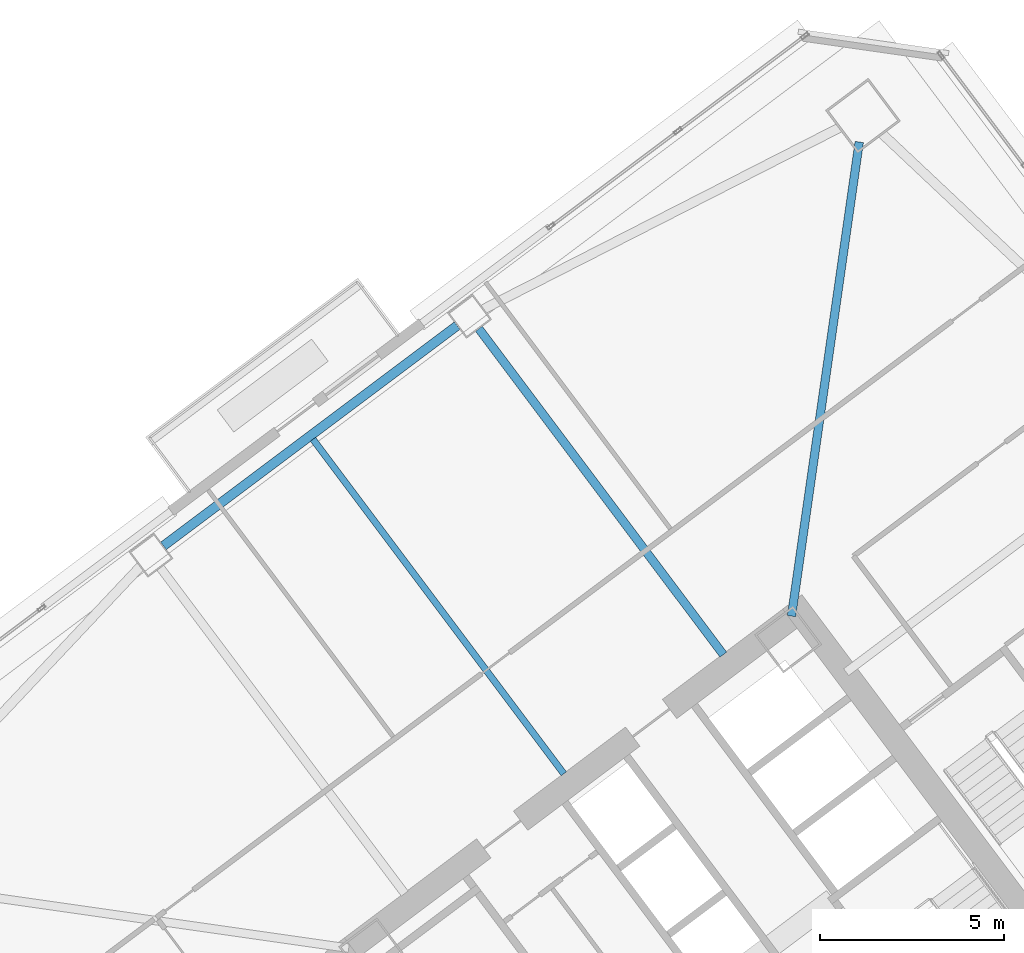
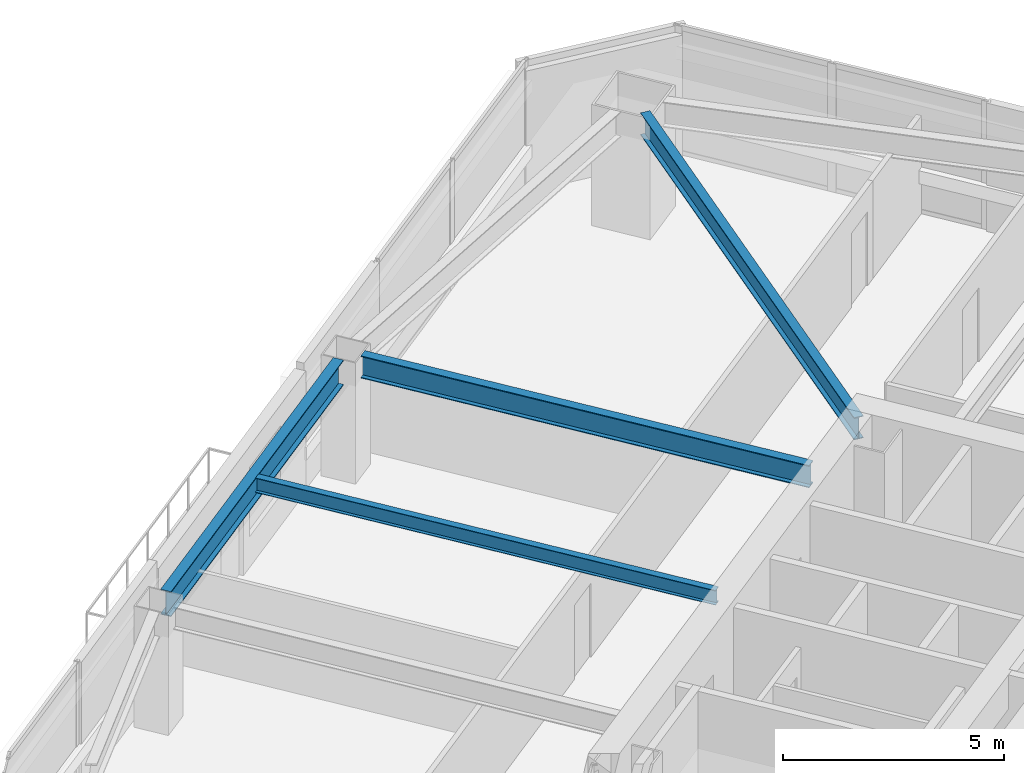
# One storey, part 27 of 44: 4 beams.
"""IFC4 building model written with IfcOpenShell, lengths in metres."""

from ifc_helpers import new_model, si_unit, direction, frame, origin, origin_2d, place, context, subcontext, project, spatial, i_section, extrude, material, material_profile, profile_set, type_object, element, save


model = new_model("IFC4")

# Units and contexts
model_context = context("Model", 3, precision=1e-05, world=origin(), true_north=direction((0.0, 1.0)))
body_context = subcontext(model_context, "Body", "Model", "MODEL_VIEW")
ifc_project = project(units=[si_unit("LENGTHUNIT", "METRE"), si_unit("AREAUNIT", "SQUARE_METRE"), si_unit("VOLUMEUNIT", "CUBIC_METRE"), si_unit("PLANEANGLEUNIT", "RADIAN"), si_unit("MASSUNIT", "GRAM", prefix="KILO")], contexts=[model_context])

# Site, building, storey
site_placement = place(None, origin())
site = spatial("IfcSite", under=ifc_project, at=site_placement, CompositionType="ELEMENT")
building_placement = place(site_placement, origin())
building = spatial("IfcBuilding", under=site, at=building_placement, Name="Tashvorn Skyway Center", CompositionType="ELEMENT")
storey_placement = place(building_placement, frame((0.0, 0.0, 95.60009765625)))
storey = spatial("IfcBuildingStorey", under=building, at=storey_placement, Name="L25", CompositionType="ELEMENT", Elevation=95.60009765625)

# Beams
ifc_material = material(Name="Steel ASTM A992 Grade 50", Category="steel")
ifc_material_profile_1 = material_profile(ifc_material, i_section(OverallWidth=0.22998046875, OverallDepth=0.616943359375, WebThickness=0.01318359375, FlangeThickness=0.022216796875, at=origin_2d()), Name="W24X94")
ifc_profile_set_1 = profile_set([ifc_material_profile_1], Name="Steel ASTM A992 Grade 50")
beam_type_1 = type_object("IfcBeamType", Name="BM-BEAM-W24X94", PredefinedType="BEAM", material=ifc_profile_set_1)
beam_1_placement = place(storey_placement, frame((117.338134765625, 55.3671875, 3.04150390625), z_axis=(-0.141418724841, -0.989949869571, 0.0), x_axis=(0.989949869571, -0.141418724841, 0.0)))
element("IfcBeam", 1, at=beam_1_placement, inside=storey, type_object=beam_type_1, Name="Tower 2 L25 Primary Floor Girder MC-NE", PredefinedType="BEAM", context=body_context, shape_type="SweptSolid", body=[
    extrude(i_section(OverallWidth=0.22998046875, OverallDepth=0.616943359375, WebThickness=0.01318359375, FlangeThickness=0.022216796875, at=origin_2d()), origin(), (0.0, 0.0, 1.0), 12.9892578125),
])
beam_2_placement = place(storey_placement, frame((107.02197265625, 50.303955078125, 3.04150390625), z_axis=(0.60001414024, -0.799989394625, 0.0), x_axis=(0.799989394625, 0.60001414024, 0.0)))
element("IfcBeam", 2, at=beam_2_placement, inside=storey, type_object=beam_type_1, Name="Tower 2 L25 Primary Floor Girder FC-N1", PredefinedType="BEAM", context=body_context, shape_type="SweptSolid", body=[
    extrude(i_section(OverallWidth=0.22998046875, OverallDepth=0.616943359375, WebThickness=0.01318359375, FlangeThickness=0.022216796875, at=origin_2d()), origin(), (0.0, 0.0, 1.0), 11.050048828125),
])
ifc_material_profile_2 = material_profile(ifc_material, i_section(OverallWidth=0.177978515625, OverallDepth=0.406005859375, WebThickness=0.0078125, FlangeThickness=0.0126953125, at=origin_2d()), Name="W16X40")
ifc_profile_set_2 = profile_set([ifc_material_profile_2], Name="Steel ASTM A992 Grade 50")
beam_type_2 = type_object("IfcBeamType", Name="BM-JOIST-W16X40", PredefinedType="JOIST", material=ifc_profile_set_2)
beam_3_placement = place(storey_placement, frame((109.325927734375, 38.23193359375, 3.14697265625), z_axis=(-0.599996555327, 0.800002583493, 0.0), x_axis=(-0.800002583493, -0.599996555327, 0.0)))
element("IfcBeam", 3, at=beam_3_placement, inside=storey, type_object=beam_type_2, Name="Tower 2 L25 Secondary Composite Joist JN", PredefinedType="JOIST", context=body_context, shape_type="SweptSolid", body=[
    extrude(i_section(OverallWidth=0.177978515625, OverallDepth=0.406005859375, WebThickness=0.0078125, FlangeThickness=0.0126953125, at=origin_2d()), origin(), (0.0, 0.0, 1.0), 11.340087890625),
])
ifc_material_profile_3 = material_profile(ifc_material, i_section(OverallWidth=0.256103515625, OverallDepth=0.693115234375, WebThickness=0.014404296875, FlangeThickness=0.023681640625, at=origin_2d()), Name="W27X114")
ifc_profile_set_3 = profile_set([ifc_material_profile_3], Name="Steel ASTM A992 Grade 50")
beam_type_3 = type_object("IfcBeamType", Name="BM-SPANDREL-W27X114", PredefinedType="SPANDREL", material=ifc_profile_set_3)
beam_4_placement = place(storey_placement, frame((106.43408203125, 50.387939453125, 3.00341796875), z_axis=(-0.800008824351, -0.599988234018, 0.0), x_axis=(0.599988234018, -0.800008824351, 0.0)))
element("IfcBeam", 4, at=beam_4_placement, inside=storey, type_object=beam_type_3, Name="Tower 2 L25 Spandrel Beam 08", PredefinedType="SPANDREL", context=body_context, shape_type="SweptSolid", body=[
    extrude(i_section(OverallWidth=0.256103515625, OverallDepth=0.693115234375, WebThickness=0.014404296875, FlangeThickness=0.023681640625, at=origin_2d()), origin(), (0.0, 0.0, 1.0), 9.9599609375),
])

save(model, "model.ifc")
